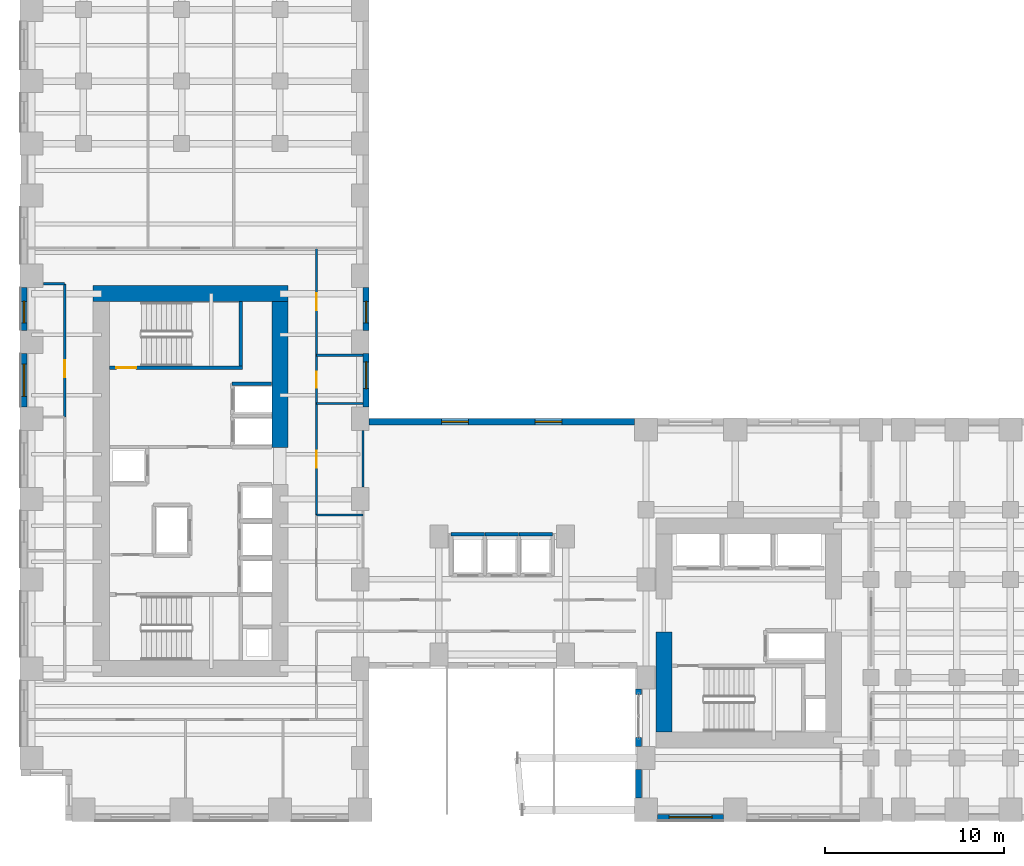
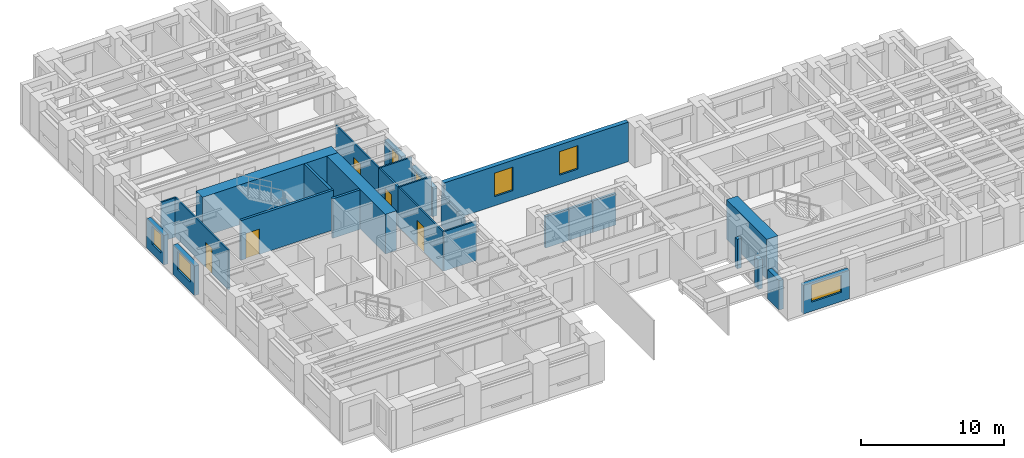
# One storey, part 9 of 14: 27 walls, 7 windows, 5 doors, 12 openings.
"""IFC4 building model written with IfcOpenShell, lengths in metres."""

from ifc_helpers import new_model, si_unit, direction, frame, frame_2d, origin, place, context, subcontext, project, spatial, rectangle, extrude, source, transform, mapped, material, layer, layer_set, type_object, element, fill, save


model = new_model("IFC4")

# Units and contexts
model_context = context("Model", 3, precision=1e-05, world=origin(), true_north=direction((0.0, 1.0)))
body_context = subcontext(model_context, "Body", "Model", "MODEL_VIEW")
ifc_project = project(units=[si_unit("LENGTHUNIT", "METRE"), si_unit("AREAUNIT", "SQUARE_METRE"), si_unit("VOLUMEUNIT", "CUBIC_METRE"), si_unit("PLANEANGLEUNIT", "RADIAN"), si_unit("MASSUNIT", "GRAM", prefix="KILO")], contexts=[model_context])

# Site, building, storey
site_placement = place(None, origin())
site = spatial("IfcSite", under=ifc_project, at=site_placement, CompositionType="ELEMENT")
building_placement = place(site_placement, origin())
building = spatial("IfcBuilding", under=site, at=building_placement, Name="Kharzan Plaza Tower", CompositionType="ELEMENT")
storey_placement = place(building_placement, frame((0.0, 0.0, 58.5)))
storey = spatial("IfcBuildingStorey", under=building, at=storey_placement, Name="L15", CompositionType="ELEMENT", Elevation=58.5)

# Wall, opening, window
ifc_material_1 = material(Name="Concrete C40/50", Category="concrete")
ifc_layer_1 = layer(ifc_material_1, 0.35009765625)
ifc_layer_set_1 = layer_set([ifc_layer_1], Name="Concrete C40/50")
wall_type_1 = type_object("IfcWallType", Name="WL-EXT-MAS-Z1", PredefinedType="SOLIDWALL", material=ifc_layer_set_1)
wall_1_placement = place(storey_placement, frame((0.175048828125, 29.85205078125, 0.0), z_axis=(0.0, 0.0, 1.0), x_axis=(0.0, -1.0, 0.0)))
wall_1 = element("IfcWall", 1, at=wall_1_placement, inside=storey, type_object=wall_type_1, Name="L15 Masonry-Frame Exterior Wall 14", PredefinedType="SOLIDWALL", context=body_context, shape_type="SweptSolid", body=[
    extrude(rectangle(XDim=2.404052734375, YDim=0.35009765625, at=frame_2d((1.2021484375, 0.0))), origin(), (0.0, 0.0, 1.0), 2.510009765625),
])
opening_1_placement = place(wall_1_placement, frame((0.786865234375, 0.0, 0.780029296875)))
opening_1 = element("IfcOpeningElement", 2, at=opening_1_placement, cuts=wall_1, Name="Opening W3", PredefinedType="OPENING", context=body_context, shape_type="SweptSolid", body=[
    extrude(rectangle(XDim=1.199951171875, YDim=1.550048828125, at=frame_2d((0.60009765625, 0.77490234375))), frame((0.0, 0.18505859375, 0.0), z_axis=(0.0, -1.0, 0.0), x_axis=(1.0, 0.0, 0.0)), (0.0, 0.0, 1.0), 0.3701171875),
])
ifc_material_2 = material(Name="Low-E Double Glazing", Category="glass")
window_type_1 = type_object("IfcWindowType", Name="WN-REC-1200x2100", PartitioningType="SINGLE_PANEL", PredefinedType="WINDOW", material=ifc_material_2)
shared_shape_1 = source(origin(), body_context, "Body", "SweptSolid", [
    extrude(rectangle(XDim=1.199951171875, YDim=1.550048828125, at=frame_2d((0.60009765625, 0.77490234375))), frame((0.0, 0.030029296875, 0.0), z_axis=(0.0, -1.0, 0.0), x_axis=(1.0, 0.0, 0.0)), (0.0, 0.0, 1.0), 0.06005859375),
])
window_1_placement = place(opening_1_placement, origin())
window_1 = element("IfcWindow", 3, at=window_1_placement, inside=storey, type_object=window_type_1, Name="L15 Recessed Solar-Control Window 14-1", OverallHeight=1.550048828125, OverallWidth=1.199951171875, PartitioningType="SINGLE_PANEL", PredefinedType="WINDOW", context=body_context, shape_type="MappedRepresentation", body=[
    mapped(shared_shape_1, transform((0.0, 0.0, 0.0), x_axis=(1.0, 0.0, 0.0), y_axis=(0.0, 1.0, 0.0), z_axis=(0.0, 0.0, 1.0))),
])
fill(opening_1, window_1)

wall_2_placement = place(storey_placement, frame((0.175048828125, 26.152099609375, 0.0), z_axis=(0.0, 0.0, 1.0), x_axis=(0.0, -1.0, 0.0)))
wall_2 = element("IfcWall", 4, at=wall_2_placement, inside=storey, type_object=wall_type_1, Name="L15 Masonry-Frame Exterior Wall 15", PredefinedType="SOLIDWALL", context=body_context, shape_type="SweptSolid", body=[
    extrude(rectangle(XDim=3.004150390625, YDim=0.35009765625, at=frame_2d((1.501953125, 0.0))), origin(), (0.0, 0.0, 1.0), 2.510009765625),
])
opening_2_placement = place(wall_2_placement, frame((0.60205078125, 0.0, 0.780029296875)))
opening_2 = element("IfcOpeningElement", 5, at=opening_2_placement, cuts=wall_2, Name="Opening W1", PredefinedType="OPENING", context=body_context, shape_type="SweptSolid", body=[
    extrude(rectangle(XDim=1.800048828125, YDim=1.550048828125, at=frame_2d((0.89990234375, 0.77490234375))), frame((0.0, 0.18505859375, 0.0), z_axis=(0.0, -1.0, 0.0), x_axis=(1.0, 0.0, 0.0)), (0.0, 0.0, 1.0), 0.3701171875),
])
window_type_2 = type_object("IfcWindowType", Name="WN-REC-1800x2100", PartitioningType="SINGLE_PANEL", PredefinedType="WINDOW", material=ifc_material_2)
shared_shape_2 = source(origin(), body_context, "Body", "SweptSolid", [
    extrude(rectangle(XDim=1.800048828125, YDim=1.550048828125, at=frame_2d((0.89990234375, 0.77490234375))), frame((0.0, 0.030029296875, 0.0), z_axis=(0.0, -1.0, 0.0), x_axis=(1.0, 0.0, 0.0)), (0.0, 0.0, 1.0), 0.06005859375),
])
window_2_placement = place(opening_2_placement, origin())
window_2 = element("IfcWindow", 6, at=window_2_placement, inside=storey, type_object=window_type_2, Name="L15 Recessed Solar-Control Window 15-1", OverallHeight=1.550048828125, OverallWidth=1.800048828125, PartitioningType="SINGLE_PANEL", PredefinedType="WINDOW", context=body_context, shape_type="MappedRepresentation", body=[
    mapped(shared_shape_2, transform((0.0, 0.0, 0.0), x_axis=(1.0, 0.0, 0.0), y_axis=(0.0, 1.0, 0.0), z_axis=(0.0, 0.0, 1.0))),
])
fill(opening_2, window_2)

wall_3_placement = place(storey_placement, frame((35.64794921875, 0.175048828125, 0.0), z_axis=(0.0, 0.0, 1.0), x_axis=(1.0, 0.0, 0.0)))
wall_3 = element("IfcWall", 7, at=wall_3_placement, inside=storey, type_object=wall_type_1, Name="L15 Masonry-Frame Exterior Wall 34", PredefinedType="SOLIDWALL", context=body_context, shape_type="SweptSolid", body=[
    extrude(rectangle(XDim=3.7041015625, YDim=0.35009765625, at=frame_2d((1.85205078125, 0.0))), origin(), (0.0, 0.0, 1.0), 2.427978515625),
])
opening_3_placement = place(wall_3_placement, frame((0.652099609375, 0.0, 0.780029296875)))
opening_3 = element("IfcOpeningElement", 8, at=opening_3_placement, cuts=wall_3, Name="Opening W2", PredefinedType="OPENING", context=body_context, shape_type="SweptSolid", body=[
    extrude(rectangle(XDim=2.39990234375, YDim=1.468017578125, at=frame_2d((1.199951171875, 0.73388671875))), frame((0.0, 0.18505859375, 0.0), z_axis=(0.0, -1.0, 0.0), x_axis=(1.0, 0.0, 0.0)), (0.0, 0.0, 1.0), 0.3701171875),
])
window_type_3 = type_object("IfcWindowType", Name="WN-REC-2400x2100", PartitioningType="SINGLE_PANEL", PredefinedType="WINDOW", material=ifc_material_2)
shared_shape_3 = source(origin(), body_context, "Body", "SweptSolid", [
    extrude(rectangle(XDim=2.39990234375, YDim=1.468017578125, at=frame_2d((1.199951171875, 0.73388671875))), frame((0.0, 0.030029296875, 0.0), z_axis=(0.0, -1.0, 0.0), x_axis=(1.0, 0.0, 0.0)), (0.0, 0.0, 1.0), 0.06005859375),
])
window_3_placement = place(opening_3_placement, origin())
window_3 = element("IfcWindow", 9, at=window_3_placement, inside=storey, type_object=window_type_3, Name="L15 Wide Recessed Solar-Control Window 34-1", OverallHeight=1.468017578125, OverallWidth=2.39990234375, PartitioningType="SINGLE_PANEL", PredefinedType="WINDOW", context=body_context, shape_type="MappedRepresentation", body=[
    mapped(shared_shape_3, transform((0.0, 0.0, 0.0), x_axis=(1.0, 0.0, 0.0), y_axis=(0.0, 1.0, 0.0), z_axis=(0.0, 0.0, 1.0))),
])
fill(opening_3, window_3)

# Wall, openings, windows
wall_4_placement = place(storey_placement, frame((34.35205078125, 22.324951171875, 0.0), z_axis=(0.0, 0.0, 1.0), x_axis=(-1.0, 0.0, 0.0)))
wall_4 = element("IfcWall", 10, at=wall_4_placement, inside=storey, type_object=wall_type_1, Name="L15 Masonry-Frame Exterior Wall 54", PredefinedType="SOLIDWALL", context=body_context, shape_type="SweptSolid", body=[
    extrude(rectangle(XDim=14.85400390625, YDim=0.35009765625, at=frame_2d((7.427001953125, 0.0))), origin(), (0.0, 0.0, 1.0), 3.364990234375),
])
opening_4_placement = place(wall_4_placement, frame((4.05810546875, 0.0, 0.780029296875)))
opening_4 = element("IfcOpeningElement", 11, at=opening_4_placement, cuts=wall_4, Name="Opening W5", PredefinedType="OPENING", context=body_context, shape_type="SweptSolid", body=[
    extrude(rectangle(XDim=1.5, YDim=2.0, at=frame_2d((0.75, 1.0))), frame((0.0, 0.18505859375, 0.0), z_axis=(0.0, -1.0, 0.0), x_axis=(1.0, 0.0, 0.0)), (0.0, 0.0, 1.0), 0.3701171875),
])
opening_5_placement = place(wall_4_placement, frame((9.2958984375, 0.0, 0.780029296875)))
opening_5 = element("IfcOpeningElement", 12, at=opening_5_placement, cuts=wall_4, Name="Opening W5", PredefinedType="OPENING", context=body_context, shape_type="SweptSolid", body=[
    extrude(rectangle(XDim=1.5, YDim=2.0, at=frame_2d((0.75, 1.0))), frame((0.0, 0.18505859375, 0.0), z_axis=(0.0, -1.0, 0.0), x_axis=(1.0, 0.0, 0.0)), (0.0, 0.0, 1.0), 0.3701171875),
])
window_type_4 = type_object("IfcWindowType", Name="WN-SLT-1500x2000", PartitioningType="SINGLE_PANEL", PredefinedType="WINDOW", material=ifc_material_2)
shared_shape_4 = source(origin(), body_context, "Body", "SweptSolid", [
    extrude(rectangle(XDim=1.5, YDim=2.0, at=frame_2d((0.75, 1.0))), frame((0.0, 0.030029296875, 0.0), z_axis=(0.0, -1.0, 0.0), x_axis=(1.0, 0.0, 0.0)), (0.0, 0.0, 1.0), 0.06005859375),
])
window_4_placement = place(opening_4_placement, origin())
window_4 = element("IfcWindow", 13, at=window_4_placement, inside=storey, type_object=window_type_4, Name="L15 Recessed Solar-Control Window 54-1", OverallHeight=2.0, OverallWidth=1.5, PartitioningType="SINGLE_PANEL", PredefinedType="WINDOW", context=body_context, shape_type="MappedRepresentation", body=[
    mapped(shared_shape_4, transform((0.0, 0.0, 0.0), x_axis=(1.0, 0.0, 0.0), y_axis=(0.0, 1.0, 0.0), z_axis=(0.0, 0.0, 1.0))),
])
fill(opening_4, window_4)
window_5_placement = place(opening_5_placement, origin())
window_5 = element("IfcWindow", 14, at=window_5_placement, inside=storey, type_object=window_type_4, Name="L15 Recessed Solar-Control Window 54-2", OverallHeight=2.0, OverallWidth=1.5, PartitioningType="SINGLE_PANEL", PredefinedType="WINDOW", context=body_context, shape_type="MappedRepresentation", body=[
    mapped(shared_shape_4, transform((0.0, 0.0, 0.0), x_axis=(1.0, 0.0, 0.0), y_axis=(0.0, 1.0, 0.0), z_axis=(0.0, 0.0, 1.0))),
])
fill(opening_5, window_5)

# Wall, opening, window
wall_5_placement = place(storey_placement, frame((19.324951171875, 23.14794921875, 0.0), z_axis=(0.0, 0.0, 1.0), x_axis=(0.0, 1.0, 0.0)))
wall_5 = element("IfcWall", 15, at=wall_5_placement, inside=storey, type_object=wall_type_1, Name="L15 Masonry-Frame Exterior Wall 55", PredefinedType="SOLIDWALL", context=body_context, shape_type="SweptSolid", body=[
    extrude(rectangle(XDim=3.004150390625, YDim=0.35009765625, at=frame_2d((1.501953125, 0.0))), origin(), (0.0, 0.0, 1.0), 2.510009765625),
])
opening_6_placement = place(wall_5_placement, frame((1.030517578125, 0.0, 0.780029296875)))
opening_6 = element("IfcOpeningElement", 16, at=opening_6_placement, cuts=wall_5, Name="Opening W5", PredefinedType="OPENING", context=body_context, shape_type="SweptSolid", body=[
    extrude(rectangle(XDim=1.5, YDim=1.550048828125, at=frame_2d((0.75, 0.77490234375))), frame((0.0, 0.18505859375, 0.0), z_axis=(0.0, -1.0, 0.0), x_axis=(1.0, 0.0, 0.0)), (0.0, 0.0, 1.0), 0.3701171875),
])
shared_shape_5 = source(origin(), body_context, "Body", "SweptSolid", [
    extrude(rectangle(XDim=1.5, YDim=1.550048828125, at=frame_2d((0.75, 0.77490234375))), frame((0.0, 0.030029296875, 0.0), z_axis=(0.0, -1.0, 0.0), x_axis=(1.0, 0.0, 0.0)), (0.0, 0.0, 1.0), 0.06005859375),
])
window_6_placement = place(opening_6_placement, origin())
window_6 = element("IfcWindow", 17, at=window_6_placement, inside=storey, type_object=window_type_4, Name="L15 Recessed Solar-Control Window 55-1", OverallHeight=1.550048828125, OverallWidth=1.5, PartitioningType="SINGLE_PANEL", PredefinedType="WINDOW", context=body_context, shape_type="MappedRepresentation", body=[
    mapped(shared_shape_5, transform((0.0, 0.0, 0.0), x_axis=(1.0, 0.0, 0.0), y_axis=(0.0, 1.0, 0.0), z_axis=(0.0, 0.0, 1.0))),
])
fill(opening_6, window_6)

wall_6_placement = place(storey_placement, frame((19.324951171875, 27.447998046875, 0.0), z_axis=(0.0, 0.0, 1.0), x_axis=(0.0, 1.0, 0.0)))
wall_6 = element("IfcWall", 18, at=wall_6_placement, inside=storey, type_object=wall_type_1, Name="L15 Masonry-Frame Exterior Wall 56", PredefinedType="SOLIDWALL", context=body_context, shape_type="SweptSolid", body=[
    extrude(rectangle(XDim=2.404052734375, YDim=0.35009765625, at=frame_2d((1.2021484375, 0.0))), origin(), (0.0, 0.0, 1.0), 2.510009765625),
])
opening_7_placement = place(wall_6_placement, frame((0.417236328125, 0.0, 0.780029296875)))
opening_7 = element("IfcOpeningElement", 19, at=opening_7_placement, cuts=wall_6, Name="Opening W3", PredefinedType="OPENING", context=body_context, shape_type="SweptSolid", body=[
    extrude(rectangle(XDim=1.199951171875, YDim=1.550048828125, at=frame_2d((0.60009765625, 0.77490234375))), frame((0.0, 0.18505859375, 0.0), z_axis=(0.0, -1.0, 0.0), x_axis=(1.0, 0.0, 0.0)), (0.0, 0.0, 1.0), 0.3701171875),
])
window_7_placement = place(opening_7_placement, origin())
window_7 = element("IfcWindow", 20, at=window_7_placement, inside=storey, type_object=window_type_1, Name="L15 Recessed Solar-Control Window 56-1", OverallHeight=1.550048828125, OverallWidth=1.199951171875, PartitioningType="SINGLE_PANEL", PredefinedType="WINDOW", context=body_context, shape_type="MappedRepresentation", body=[
    mapped(shared_shape_1, transform((0.0, 0.0, 0.0), x_axis=(1.0, 0.0, 0.0), y_axis=(0.0, 1.0, 0.0), z_axis=(0.0, 0.0, 1.0))),
])
fill(opening_7, window_7)

# Wall, opening, door
ifc_material_3 = material(Name="Fire-Rated Gypsum Board Partition", Category="gypsum")
ifc_layer_2 = layer(ifc_material_3, 0.125)
ifc_layer_set_2 = layer_set([ifc_layer_2], Name="Fire-Rated Gypsum Board Partition")
wall_type_2 = type_object("IfcWallType", Name="WL-INT-PART-125", PredefinedType="PARTITIONING", material=ifc_layer_set_2)
wall_7_placement = place(storey_placement, frame((16.550048828125, 17.10009765625, 0.0), z_axis=(0.0, 0.0, 1.0), x_axis=(0.0, 1.0, 0.0)))
wall_7 = element("IfcWall", 21, at=wall_7_placement, inside=storey, type_object=wall_type_2, Name="L15 Interior Partition SH-AEWN2", PredefinedType="PARTITIONING", context=body_context, shape_type="SweptSolid", body=[
    extrude(rectangle(XDim=6.25, YDim=0.125, at=frame_2d((3.125, 0.0))), origin(), (0.0, 0.0, 1.0), 3.364990234375),
])
opening_8_placement = place(wall_7_placement, frame((2.64990234375, 0.0, 0.0)))
opening_8 = element("IfcOpeningElement", 22, at=opening_8_placement, cuts=wall_7, Name="Opening OD1", PredefinedType="OPENING", context=body_context, shape_type="SweptSolid", body=[
    extrude(rectangle(XDim=0.949951171875, YDim=2.14990234375, at=frame_2d((0.47509765625, 1.074951171875))), frame((0.0, 0.072509765625, 0.0), z_axis=(0.0, -1.0, 0.0), x_axis=(1.0, 0.0, 0.0)), (0.0, 0.0, 1.0), 0.14501953125),
])
ifc_material_4 = material(Name="Acoustic Solid-Core Stained Oak", Category="timber")
door_type_1 = type_object("IfcDoorType", Name="DR-OFF-SINGLE", OperationType="NOTDEFINED", PredefinedType="DOOR", material=ifc_material_4)
shared_shape_6 = source(origin(), body_context, "Body", "SweptSolid", [
    extrude(rectangle(XDim=0.949951171875, YDim=2.14990234375, at=frame_2d((0.47509765625, 1.074951171875))), frame((0.0, 0.02490234375, 0.0), z_axis=(0.0, -1.0, 0.0), x_axis=(1.0, 0.0, 0.0)), (0.0, 0.0, 1.0), 0.050048828125),
])
door_1_placement = place(opening_8_placement, origin())
door_1 = element("IfcDoor", 23, at=door_1_placement, inside=storey, type_object=door_type_1, Name="L15 Slot Studio Door", OperationType="SINGLE_SWING_LEFT", OverallHeight=2.14990234375, OverallWidth=0.949951171875, PredefinedType="DOOR", context=body_context, shape_type="MappedRepresentation", body=[
    mapped(shared_shape_6, transform((0.0, 0.0, 0.0), x_axis=(1.0, 0.0, 0.0), y_axis=(0.0, 1.0, 0.0), z_axis=(0.0, 0.0, 1.0))),
])
fill(opening_8, door_1)

wall_8_placement = place(storey_placement, frame((16.550048828125, 26.050048828125, 0.0), z_axis=(0.0, 0.0, 1.0), x_axis=(0.0, 1.0, 0.0)))
wall_8 = element("IfcWall", 24, at=wall_8_placement, inside=storey, type_object=wall_type_2, Name="L15 Interior Partition SH-AEWN3", PredefinedType="PARTITIONING", context=body_context, shape_type="SweptSolid", body=[
    extrude(rectangle(XDim=6.0, YDim=0.125, at=frame_2d((3.0, 0.0))), origin(), (0.0, 0.0, 1.0), 3.364990234375),
])
opening_9_placement = place(wall_8_placement, frame((2.52490234375, 0.0, 0.0)))
opening_9 = element("IfcOpeningElement", 25, at=opening_9_placement, cuts=wall_8, Name="Opening OD1", PredefinedType="OPENING", context=body_context, shape_type="SweptSolid", body=[
    extrude(rectangle(XDim=0.949951171875, YDim=2.14990234375, at=frame_2d((0.47509765625, 1.074951171875))), frame((0.0, 0.072509765625, 0.0), z_axis=(0.0, -1.0, 0.0), x_axis=(1.0, 0.0, 0.0)), (0.0, 0.0, 1.0), 0.14501953125),
])
door_2_placement = place(opening_9_placement, origin())
door_2 = element("IfcDoor", 26, at=door_2_placement, inside=storey, type_object=door_type_1, Name="L15 Staff Tea Point Door", OperationType="SINGLE_SWING_LEFT", OverallHeight=2.14990234375, OverallWidth=0.949951171875, PredefinedType="DOOR", context=body_context, shape_type="MappedRepresentation", body=[
    mapped(shared_shape_6, transform((0.0, 0.0, 0.0), x_axis=(1.0, 0.0, 0.0), y_axis=(0.0, 1.0, 0.0), z_axis=(0.0, 0.0, 1.0))),
])
fill(opening_9, door_2)

wall_9_placement = place(storey_placement, frame((16.550048828125, 23.35009765625, 0.0), z_axis=(0.0, 0.0, 1.0), x_axis=(0.0, 1.0, 0.0)))
wall_9 = element("IfcWall", 27, at=wall_9_placement, inside=storey, type_object=wall_type_2, Name="L15 Interior Partition SH-AEWW", PredefinedType="PARTITIONING", context=body_context, shape_type="SweptSolid", body=[
    extrude(rectangle(XDim=2.699951171875, YDim=0.125, at=frame_2d((1.35009765625, 0.0))), origin(), (0.0, 0.0, 1.0), 3.364990234375),
])
opening_10_placement = place(wall_9_placement, frame((0.875, 0.0, 0.0)))
opening_10 = element("IfcOpeningElement", 28, at=opening_10_placement, cuts=wall_9, Name="Opening WD1", PredefinedType="OPENING", context=body_context, shape_type="SweptSolid", body=[
    extrude(rectangle(XDim=0.89990234375, YDim=2.14990234375, at=frame_2d((0.449951171875, 1.074951171875))), frame((0.0, 0.072509765625, 0.0), z_axis=(0.0, -1.0, 0.0), x_axis=(1.0, 0.0, 0.0)), (0.0, 0.0, 1.0), 0.14501953125),
])
ifc_material_5 = material(Name="Moisture-Resistant Fire-Rated Laminate", Category="timber")
door_type_2 = type_object("IfcDoorType", Name="DR-WC-900", OperationType="NOTDEFINED", PredefinedType="DOOR", material=ifc_material_5)
shared_shape_7 = source(origin(), body_context, "Body", "SweptSolid", [
    extrude(rectangle(XDim=0.89990234375, YDim=2.14990234375, at=frame_2d((0.449951171875, 1.074951171875))), frame((0.0, 0.02490234375, 0.0), z_axis=(0.0, -1.0, 0.0), x_axis=(1.0, 0.0, 0.0)), (0.0, 0.0, 1.0), 0.050048828125),
])
door_3_placement = place(opening_10_placement, origin())
door_3 = element("IfcDoor", 29, at=door_3_placement, inside=storey, type_object=door_type_2, Name="L15 Wing A Washroom Door", OperationType="SINGLE_SWING_RIGHT", OverallHeight=2.14990234375, OverallWidth=0.89990234375, PredefinedType="DOOR", context=body_context, shape_type="MappedRepresentation", body=[
    mapped(shared_shape_7, transform((0.0, 0.0, 0.0), x_axis=(1.0, 0.0, 0.0), y_axis=(0.0, 1.0, 0.0), z_axis=(0.0, 0.0, 1.0))),
])
fill(opening_10, door_3)

wall_10_placement = place(storey_placement, frame((2.449951171875, 22.60009765625, 0.0), z_axis=(0.0, 0.0, 1.0), x_axis=(0.0, 1.0, 0.0)))
wall_10 = element("IfcWall", 30, at=wall_10_placement, inside=storey, type_object=wall_type_2, Name="L15 Interior Partition SH-WW-3", PredefinedType="PARTITIONING", context=body_context, shape_type="SweptSolid", body=[
    extrude(rectangle(XDim=7.449951171875, YDim=0.125, at=frame_2d((3.72509765625, 0.0))), origin(), (0.0, 0.0, 1.0), 3.364990234375),
])
opening_11_placement = place(wall_10_placement, frame((2.226806640625, 0.0, 0.0)))
opening_11 = element("IfcOpeningElement", 31, at=opening_11_placement, cuts=wall_10, Name="Opening OD1", PredefinedType="OPENING", context=body_context, shape_type="SweptSolid", body=[
    extrude(rectangle(XDim=0.949951171875, YDim=2.14990234375, at=frame_2d((0.47509765625, 1.074951171875))), frame((0.0, 0.072509765625, 0.0), z_axis=(0.0, -1.0, 0.0), x_axis=(1.0, 0.0, 0.0)), (0.0, 0.0, 1.0), 0.14501953125),
])
door_4_placement = place(opening_11_placement, origin())
door_4 = element("IfcDoor", 32, at=door_4_placement, inside=storey, type_object=door_type_1, Name="L15 Research Engineering Office Door", OperationType="SINGLE_SWING_RIGHT", OverallHeight=2.14990234375, OverallWidth=0.949951171875, PredefinedType="DOOR", context=body_context, shape_type="MappedRepresentation", body=[
    mapped(shared_shape_6, transform((0.0, 0.0, 0.0), x_axis=(1.0, 0.0, 0.0), y_axis=(0.0, 1.0, 0.0), z_axis=(0.0, 0.0, 1.0))),
])
fill(opening_11, door_4)

ifc_material_6 = material(Name="Concrete C50/60", Category="concrete")
ifc_layer_3 = layer(ifc_material_6, 0.199951171875)
ifc_layer_set_3 = layer_set([ifc_layer_3], Name="Concrete C50/60")
wall_type_3 = type_object("IfcWallType", Name="WL-SHAFT-RC200", PredefinedType="SHEAR", material=ifc_layer_set_3)
wall_11_placement = place(storey_placement, frame((4.951904296875, 25.344970703125, 0.0), z_axis=(0.0, 0.0, 1.0), x_axis=(1.0, 0.0, 0.0)))
wall_11 = element("IfcWall", 33, at=wall_11_placement, inside=storey, type_object=wall_type_3, Name="L15 Stair ST-2 South RC Shaft Wall", PredefinedType="SHEAR", context=body_context, shape_type="SweptSolid", body=[
    extrude(rectangle(XDim=7.453125, YDim=0.199951171875, at=frame_2d((3.7265625, 0.0))), origin(), (0.0, 0.0, 1.0), 3.3798828125),
])
opening_12_placement = place(wall_11_placement, frame((0.39990234375, 0.0, 0.0)))
opening_12 = element("IfcOpeningElement", 34, at=opening_12_placement, cuts=wall_11, Name="Opening SD1", PredefinedType="OPENING", context=body_context, shape_type="SweptSolid", body=[
    extrude(rectangle(XDim=1.10009765625, YDim=2.14990234375, at=frame_2d((0.550048828125, 1.074951171875))), frame((0.0, 0.10986328125, 0.0), z_axis=(0.0, -1.0, 0.0), x_axis=(1.0, 0.0, 0.0)), (0.0, 0.0, 1.0), 0.219970703125),
])
ifc_material_7 = material(Name="Fire-Rated Hollow Galvanized Steel", Category="steel")
door_type_3 = type_object("IfcDoorType", Name="DR-STAIR-FD120", OperationType="NOTDEFINED", PredefinedType="DOOR", material=ifc_material_7)
shared_shape_8 = source(origin(), body_context, "Body", "SweptSolid", [
    extrude(rectangle(XDim=1.10009765625, YDim=2.14990234375, at=frame_2d((0.550048828125, 1.074951171875))), frame((0.0, 0.02490234375, 0.0), z_axis=(0.0, -1.0, 0.0), x_axis=(1.0, 0.0, 0.0)), (0.0, 0.0, 1.0), 0.050048828125),
])
door_5_placement = place(opening_12_placement, origin())
door_5 = element("IfcDoor", 35, at=door_5_placement, inside=storey, type_object=door_type_3, Name="L15 Stair ST-2 Fire Exit Door", OperationType="SINGLE_SWING_RIGHT", OverallHeight=2.14990234375, OverallWidth=1.10009765625, PredefinedType="DOOR", context=body_context, shape_type="MappedRepresentation", body=[
    mapped(shared_shape_8, transform((0.0, 0.0, 0.0), x_axis=(1.0, 0.0, 0.0), y_axis=(0.0, 1.0, 0.0), z_axis=(0.0, 0.0, 1.0))),
])
fill(opening_12, door_5)

# Walls
ifc_material_8 = material(Name="Concrete C60/75", Category="concrete")
ifc_layer_4 = layer(ifc_material_8, 0.89990234375)
ifc_layer_set_4 = layer_set([ifc_layer_4], Name="Concrete C60/75")
wall_type_4 = type_object("IfcWallType", Name="WL-CORE-900", PredefinedType="SHEAR", material=ifc_layer_set_4)
shared_shape_9 = source(origin(), body_context, "Body", "SweptSolid", [
    extrude(rectangle(XDim=8.170166015625, YDim=0.89990234375, at=frame_2d((4.0849609375, 0.0))), origin(), (0.0, 0.0, 1.0), 3.3798828125),
])
wall_12_placement = place(storey_placement, frame((14.5, 20.8798828125, 0.0), z_axis=(0.0, 0.0, 1.0), x_axis=(0.0, 1.0, 0.0)))
element("IfcWall", 36, at=wall_12_placement, inside=storey, type_object=wall_type_4, Name="L15 CORE-A east shear pier 2", PredefinedType="SHEAR", context=body_context, shape_type="MappedRepresentation", body=[
    mapped(shared_shape_9, transform((0.0, 0.0, 0.0), x_axis=(1.0, 0.0, 0.0), y_axis=(0.0, 1.0, 0.0), z_axis=(0.0, 0.0, 1.0))),
])
shared_shape_10 = source(origin(), body_context, "Body", "SweptSolid", [
    extrude(rectangle(XDim=10.89990234375, YDim=0.89990234375, at=frame_2d((5.449951171875, 0.0))), origin(), (0.0, 0.0, 1.0), 3.3798828125),
])
wall_13_placement = place(storey_placement, frame((4.050048828125, 29.5, 0.0), z_axis=(0.0, 0.0, 1.0), x_axis=(1.0, 0.0, 0.0)))
element("IfcWall", 37, at=wall_13_placement, inside=storey, type_object=wall_type_4, Name="L15 CORE-A north RC shear wall", PredefinedType="SHEAR", context=body_context, shape_type="MappedRepresentation", body=[
    mapped(shared_shape_10, transform((0.0, 0.0, 0.0), x_axis=(1.0, 0.0, 0.0), y_axis=(0.0, 1.0, 0.0), z_axis=(0.0, 0.0, 1.0))),
])
shared_shape_11 = source(origin(), body_context, "Body", "SweptSolid", [
    extrude(rectangle(XDim=5.60009765625, YDim=0.89990234375, at=frame_2d((2.800048828125, 0.0))), origin(), (0.0, 0.0, 1.0), 3.3798828125),
])
wall_14_placement = place(storey_placement, frame((36.0, 4.949951171875, 0.0), z_axis=(0.0, 0.0, 1.0), x_axis=(0.0, 1.0, 0.0)))
element("IfcWall", 38, at=wall_14_placement, inside=storey, type_object=wall_type_4, Name="L15 CORE-B west shear pier 1", PredefinedType="SHEAR", context=body_context, shape_type="MappedRepresentation", body=[
    mapped(shared_shape_11, transform((0.0, 0.0, 0.0), x_axis=(1.0, 0.0, 0.0), y_axis=(0.0, 1.0, 0.0), z_axis=(0.0, 0.0, 1.0))),
])
shared_shape_12 = source(origin(), body_context, "Body", "SweptSolid", [
    extrude(rectangle(XDim=1.60400390625, YDim=0.35009765625, at=frame_2d((0.802001953125, 0.0))), origin(), (0.0, 0.0, 1.0), 2.510009765625),
])
wall_15_placement = place(storey_placement, frame((34.574951171875, 2.85205078125, 0.0), z_axis=(0.0, 0.0, 1.0), x_axis=(0.0, -1.0, 0.0)))
element("IfcWall", 39, at=wall_15_placement, inside=storey, type_object=wall_type_1, Name="L15 Masonry-Frame Exterior Wall 33", PredefinedType="SOLIDWALL", context=body_context, shape_type="MappedRepresentation", body=[
    mapped(shared_shape_12, transform((0.0, 0.0, 0.0), x_axis=(1.0, 0.0, 0.0), y_axis=(0.0, 1.0, 0.0), z_axis=(0.0, 0.0, 1.0))),
])
shared_shape_13 = source(origin(), body_context, "Body", "SweptSolid", [
    extrude(rectangle(XDim=2.597900390625, YDim=0.125, at=frame_2d((1.298828125, 0.0))), origin(), (0.0, 0.0, 1.0), 3.364990234375),
])
for number, where, z_axis, x_axis, name in (
    (40, (16.550048828125, 23.35009765625, 0.0), (0.0, 0.0, 1.0), (1.0, 0.0, 0.0), "L15 Interior Partition SH-AEH-233"),
    (41, (16.550048828125, 26.050048828125, 0.0), (0.0, 0.0, 1.0), (1.0, 0.0, 0.0), "L15 Interior Partition SH-AEH-260"),
):
    element("IfcWall", number, at=place(storey_placement, frame(where, z_axis=z_axis, x_axis=x_axis)), inside=storey, type_object=wall_type_2, Name=name, PredefinedType="PARTITIONING", context=body_context, shape_type="MappedRepresentation", body=[
        mapped(shared_shape_13, transform((0.0, 0.0, 0.0), x_axis=(1.0, 0.0, 0.0), y_axis=(0.0, 1.0, 0.0), z_axis=(0.0, 0.0, 1.0))),
    ])
shared_shape_14 = source(origin(), body_context, "Body", "SweptSolid", [
    extrude(rectangle(XDim=3.18017578125, YDim=0.125, at=frame_2d((1.590087890625, 0.0))), origin(), (0.0, 0.0, 1.0), 2.669921875),
])
wall_16_placement = place(storey_placement, frame((19.14990234375, 18.659912109375, 0.0), z_axis=(0.0, 0.0, 1.0), x_axis=(0.0, 1.0, 0.0)))
element("IfcWall", 42, at=wall_16_placement, inside=storey, type_object=wall_type_2, Name="L15 Interior Partition SH-AEN-DIV-S2", PredefinedType="PARTITIONING", context=body_context, shape_type="MappedRepresentation", body=[
    mapped(shared_shape_14, transform((0.0, 0.0, 0.0), x_axis=(1.0, 0.0, 0.0), y_axis=(0.0, 1.0, 0.0), z_axis=(0.0, 0.0, 1.0))),
])
shared_shape_15 = source(origin(), body_context, "Body", "SweptSolid", [
    extrude(rectangle(XDim=1.18994140625, YDim=0.125, at=frame_2d((0.594970703125, 0.0))), origin(), (0.0, 0.0, 1.0), 3.364990234375),
])
wall_17_placement = place(storey_placement, frame((1.260009765625, 30.050048828125, 0.0), z_axis=(0.0, 0.0, 1.0), x_axis=(1.0, 0.0, 0.0)))
element("IfcWall", 43, at=wall_17_placement, inside=storey, type_object=wall_type_2, Name="L15 Interior Partition SH-RWN0", PredefinedType="PARTITIONING", context=body_context, shape_type="MappedRepresentation", body=[
    mapped(shared_shape_15, transform((0.0, 0.0, 0.0), x_axis=(1.0, 0.0, 0.0), y_axis=(0.0, 1.0, 0.0), z_axis=(0.0, 0.0, 1.0))),
])
ifc_layer_5 = layer(ifc_material_1, 0.199951171875)
ifc_layer_set_5 = layer_set([ifc_layer_5], Name="Concrete C40/50")
wall_type_5 = type_object("IfcWallType", Name="WL-INT-SHAFT-200", PredefinedType="PARTITIONING", material=ifc_layer_set_5)
shared_shape_16 = source(origin(), body_context, "Body", "SweptSolid", [
    extrude(rectangle(XDim=2.18994140625, YDim=0.199951171875, at=frame_2d((1.094970703125, 0.0))), origin(), (0.0, 0.0, 1.0), 3.364990234375),
])
wall_18_placement = place(storey_placement, frame((11.830078125, 24.4599609375, 0.0), z_axis=(0.0, 0.0, 1.0), x_axis=(1.0, 0.0, 0.0)))
element("IfcWall", 44, at=wall_18_placement, inside=storey, type_object=wall_type_5, Name="L15 Interior Partition SHF-FFL-2-N", PredefinedType="PARTITIONING", context=body_context, shape_type="MappedRepresentation", body=[
    mapped(shared_shape_16, transform((0.0, 0.0, 0.0), x_axis=(1.0, 0.0, 0.0), y_axis=(0.0, 1.0, 0.0), z_axis=(0.0, 0.0, 1.0))),
])
shared_shape_17 = source(origin(), body_context, "Body", "SweptSolid", [
    extrude(rectangle(XDim=1.889892578125, YDim=0.199951171875, at=frame_2d((0.94482421875, 0.0))), origin(), (0.0, 0.0, 1.0), 2.669921875),
])
wall_19_placement = place(storey_placement, frame((24.080078125, 16.02001953125, 0.0), z_axis=(0.0, 0.0, 1.0), x_axis=(1.0, 0.0, 0.0)))
element("IfcWall", 45, at=wall_19_placement, inside=storey, type_object=wall_type_5, Name="L15 Interior Partition SHF-PL-M1-N", PredefinedType="PARTITIONING", context=body_context, shape_type="MappedRepresentation", body=[
    mapped(shared_shape_17, transform((0.0, 0.0, 0.0), x_axis=(1.0, 0.0, 0.0), y_axis=(0.0, 1.0, 0.0), z_axis=(0.0, 0.0, 1.0))),
])
shared_shape_18 = source(origin(), body_context, "Body", "SweptSolid", [
    extrude(rectangle(XDim=1.89013671875, YDim=0.199951171875, at=frame_2d((0.945068359375, 0.0))), origin(), (0.0, 0.0, 1.0), 2.669921875),
])
for number, where, z_axis, x_axis, name in (
    (46, (25.97998046875, 16.02001953125, 0.0), (0.0, 0.0, 1.0), (1.0, 0.0, 0.0), "L15 Interior Partition SHF-PL-M2-N"),
    (47, (27.8798828125, 16.02001953125, 0.0), (0.0, 0.0, 1.0), (1.0, 0.0, 0.0), "L15 Interior Partition SHF-PL-M3-N"),
):
    element("IfcWall", number, at=place(storey_placement, frame(where, z_axis=z_axis, x_axis=x_axis)), inside=storey, type_object=wall_type_5, Name=name, PredefinedType="PARTITIONING", context=body_context, shape_type="MappedRepresentation", body=[
        mapped(shared_shape_18, transform((0.0, 0.0, 0.0), x_axis=(1.0, 0.0, 0.0), y_axis=(0.0, 1.0, 0.0), z_axis=(0.0, 0.0, 1.0))),
    ])
shared_shape_19 = source(origin(), body_context, "Body", "SweptSolid", [
    extrude(rectangle(XDim=3.60302734375, YDim=0.199951171875, at=frame_2d((1.801513671875, 0.0))), origin(), (0.0, 0.0, 1.0), 3.3798828125),
])
wall_20_placement = place(storey_placement, frame((12.304931640625, 25.445068359375, 0.0), z_axis=(0.0, 0.0, 1.0), x_axis=(0.0, 1.0, 0.0)))
element("IfcWall", 48, at=wall_20_placement, inside=storey, type_object=wall_type_3, Name="L15 Stair ST-2 East RC Shaft Wall", PredefinedType="SHEAR", context=body_context, shape_type="MappedRepresentation", body=[
    mapped(shared_shape_19, transform((0.0, 0.0, 0.0), x_axis=(1.0, 0.0, 0.0), y_axis=(0.0, 1.0, 0.0), z_axis=(0.0, 0.0, 1.0))),
])
shared_shape_20 = source(origin(), body_context, "Body", "SweptSolid", [
    extrude(rectangle(XDim=0.302001953125, YDim=0.35009765625, at=frame_2d((0.15087890625, 0.0))), origin(), (0.0, 0.0, 1.0), 2.510009765625),
])
wall_21_placement = place(storey_placement, frame((34.574951171875, 7.35205078125, 0.0), z_axis=(0.0, 0.0, 1.0), x_axis=(0.0, -1.0, 0.0)))
element("IfcWall", 49, at=wall_21_placement, inside=storey, type_object=wall_type_1, Name="L15 Masonry-Frame Exterior Wall 31", PredefinedType="SOLIDWALL", context=body_context, shape_type="MappedRepresentation", body=[
    mapped(shared_shape_20, transform((0.0, 0.0, 0.0), x_axis=(1.0, 0.0, 0.0), y_axis=(0.0, 1.0, 0.0), z_axis=(0.0, 0.0, 1.0))),
])
shared_shape_21 = source(origin(), body_context, "Body", "SweptSolid", [
    extrude(rectangle(XDim=0.501953125, YDim=0.35009765625, at=frame_2d((0.2509765625, 0.0))), origin(), (0.0, 0.0, 1.0), 2.510009765625),
])
wall_22_placement = place(storey_placement, frame((34.574951171875, 4.64990234375, 0.0), z_axis=(0.0, 0.0, 1.0), x_axis=(0.0, -1.0, 0.0)))
element("IfcWall", 50, at=wall_22_placement, inside=storey, type_object=wall_type_1, Name="L15 Masonry-Frame Exterior Wall 32", PredefinedType="SOLIDWALL", context=body_context, shape_type="MappedRepresentation", body=[
    mapped(shared_shape_21, transform((0.0, 0.0, 0.0), x_axis=(1.0, 0.0, 0.0), y_axis=(0.0, 1.0, 0.0), z_axis=(0.0, 0.0, 1.0))),
])
shared_shape_22 = source(origin(), body_context, "Body", "SweptSolid", [
    extrude(rectangle(XDim=2.599853515625, YDim=0.125, at=frame_2d((1.2998046875, 0.0))), origin(), (0.0, 0.0, 1.0), 3.364990234375),
])
wall_23_placement = place(storey_placement, frame((16.550048828125, 17.10009765625, 0.0), z_axis=(0.0, 0.0, 1.0), x_axis=(1.0, 0.0, 0.0)))
element("IfcWall", 51, at=wall_23_placement, inside=storey, type_object=wall_type_2, Name="L15 Interior Partition SH-AEH-171", PredefinedType="PARTITIONING", context=body_context, shape_type="MappedRepresentation", body=[
    mapped(shared_shape_22, transform((0.0, 0.0, 0.0), x_axis=(1.0, 0.0, 0.0), y_axis=(0.0, 1.0, 0.0), z_axis=(0.0, 0.0, 1.0))),
])

save(model, "model.ifc")
